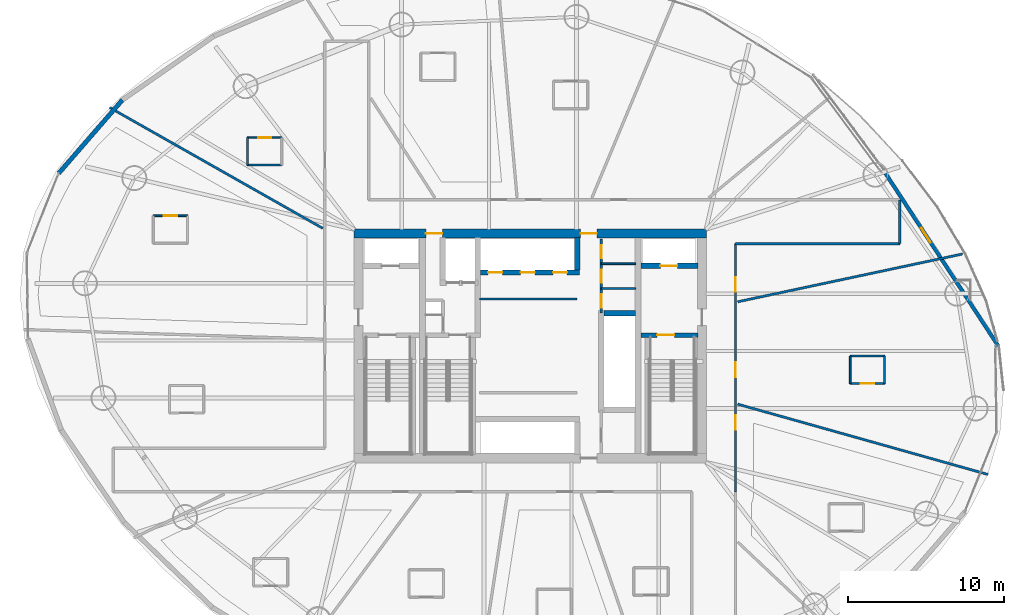
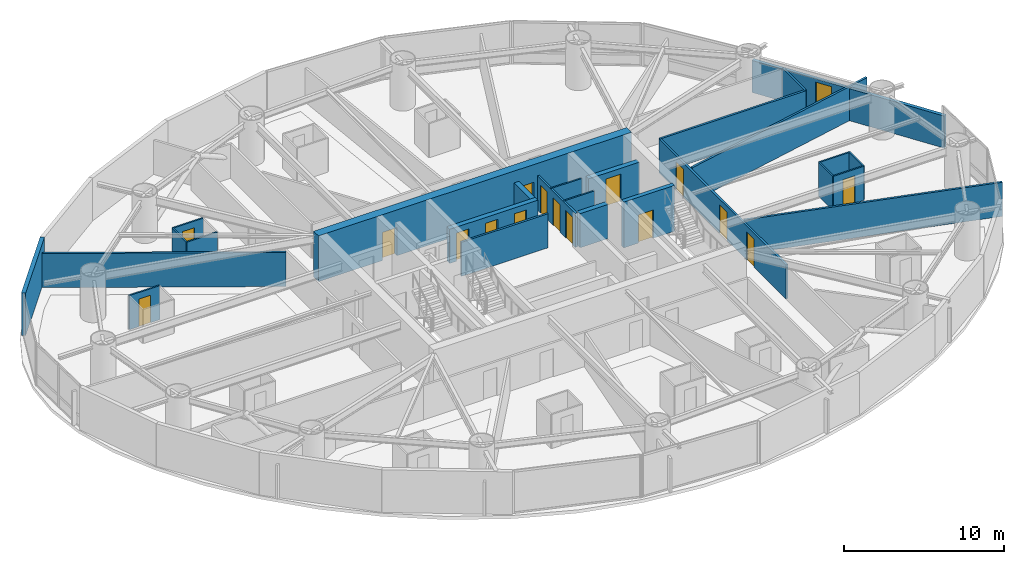
# One storey, part 21 of 26: 26 walls, 17 doors, 17 openings.
"""IFC4 building model written with IfcOpenShell, lengths in metres."""

from ifc_helpers import new_model, si_unit, direction, frame, frame_2d, origin, place, context, subcontext, project, spatial, rectangle, extrude, material, layer, layer_set, type_object, element, fill, save


model = new_model("IFC4")

# Units and contexts
model_context = context("Model", 3, precision=1e-05, world=origin(), true_north=direction((0.0, 1.0)))
body_context = subcontext(model_context, "Body", "Model", "MODEL_VIEW")
ifc_project = project(units=[si_unit("LENGTHUNIT", "METRE"), si_unit("AREAUNIT", "SQUARE_METRE"), si_unit("VOLUMEUNIT", "CUBIC_METRE"), si_unit("PLANEANGLEUNIT", "RADIAN"), si_unit("MASSUNIT", "GRAM", prefix="KILO")], contexts=[model_context])

# Site, building, storey
site_placement = place(None, origin())
site = spatial("IfcSite", under=ifc_project, at=site_placement, CompositionType="ELEMENT")
building_placement = place(site_placement, origin())
building = spatial("IfcBuilding", under=site, at=building_placement, Name="Bramvorn Convention Spire", CompositionType="ELEMENT")
storey_placement = place(building_placement, frame((0.0, 0.0, 76.39990234375)))
storey = spatial("IfcBuildingStorey", under=building, at=storey_placement, Name="L17", CompositionType="ELEMENT", Elevation=76.39990234375)

# Wall, openings, doors
ifc_material_1 = material(Name="Concrete C60/70", Category="concrete")
ifc_layer_1 = layer(ifc_material_1, 0.60009765625)
ifc_layer_set_1 = layer_set([ifc_layer_1], Name="Concrete C60/70 - WL-CORE-600")
wall_type_1 = type_object("IfcWallType", Name="WL-CORE-600", PredefinedType="SHEAR", material=ifc_layer_set_1)
wall_1_placement = place(storey_placement, frame((26.699951171875, 33.199951171875, 0.0), z_axis=(0.0, 0.0, 1.0), x_axis=(1.0, 0.0, 0.0)))
wall_1 = element("IfcWall", 1, at=wall_1_placement, inside=storey, type_object=wall_type_1, Name="L17 North RC core shear wall", PredefinedType="SHEAR", context=body_context, shape_type="SweptSolid", body=[
    extrude(rectangle(XDim=22.60009765625, YDim=0.60009765625, at=frame_2d((11.300048828125, 0.0))), origin(), (0.0, 0.0, 1.0), 3.5),
])
opening_1_placement = place(wall_1_placement, frame((4.6201171875, 0.0, 0.0)))
opening_1 = element("IfcOpeningElement", 2, at=opening_1_placement, cuts=wall_1, Name="Opening DL-105", PredefinedType="OPENING", context=body_context, shape_type="SweptSolid", body=[
    extrude(rectangle(XDim=1.050048828125, YDim=2.14990234375, at=frame_2d((0.52490234375, 1.074951171875))), frame((0.0, 0.31005859375, 0.0), z_axis=(0.0, -1.0, 0.0), x_axis=(1.0, 0.0, 0.0)), (0.0, 0.0, 1.0), 0.6201171875),
])
opening_2_placement = place(wall_1_placement, frame((14.52001953125, 0.0, 0.0)))
opening_2 = element("IfcOpeningElement", 3, at=opening_2_placement, cuts=wall_1, Name="Opening DL-105", PredefinedType="OPENING", context=body_context, shape_type="SweptSolid", body=[
    extrude(rectangle(XDim=1.050048828125, YDim=2.14990234375, at=frame_2d((0.52490234375, 1.074951171875))), frame((0.0, 0.31005859375, 0.0), z_axis=(0.0, -1.0, 0.0), x_axis=(1.0, 0.0, 0.0)), (0.0, 0.0, 1.0), 0.6201171875),
])
ifc_material_2 = material(Name="Smoke-Sealed Fire Lobby Timber-Core Door", Category="wood")
door_type_1 = type_object("IfcDoorType", Name="DR-LOBBY-1050", OperationType="NOTDEFINED", PredefinedType="DOOR", material=ifc_material_2)
door_1_placement = place(opening_1_placement, origin())
door_1 = element("IfcDoor", 4, at=door_1_placement, inside=storey, type_object=door_type_1, Name="L17 Service & Stair ST3 Lobby north corridor door", OperationType="SINGLE_SWING_LEFT", OverallHeight=2.14990234375, OverallWidth=1.050048828125, PredefinedType="DOOR", context=body_context, shape_type="SweptSolid", body=[
    extrude(rectangle(XDim=1.050048828125, YDim=2.14990234375, at=frame_2d((0.52490234375, 1.074951171875))), frame((0.0, 0.02490234375, 0.0), z_axis=(0.0, -1.0, 0.0), x_axis=(1.0, 0.0, 0.0)), (0.0, 0.0, 1.0), 0.050048828125),
])
fill(opening_1, door_1)
door_2_placement = place(opening_2_placement, origin())
door_2 = element("IfcDoor", 5, at=door_2_placement, inside=storey, type_object=door_type_1, Name="L17 North Lift Lobby fire door", OperationType="SINGLE_SWING_LEFT", OverallHeight=2.14990234375, OverallWidth=1.050048828125, PredefinedType="DOOR", context=body_context, shape_type="SweptSolid", body=[
    extrude(rectangle(XDim=1.050048828125, YDim=2.14990234375, at=frame_2d((0.52490234375, 1.074951171875))), frame((0.0, 0.02490234375, 0.0), z_axis=(0.0, -1.0, 0.0), x_axis=(1.0, 0.0, 0.0)), (0.0, 0.0, 1.0), 0.050048828125),
])
fill(opening_2, door_2)

# Wall, opening, door
ifc_material_3 = material(Name="Concrete C50/60", Category="concrete")
ifc_layer_2 = layer(ifc_material_3, 0.35009765625)
ifc_layer_set_2 = layer_set([ifc_layer_2], Name="Concrete C50/60 - WL-CORE-INT-350")
wall_type_2 = type_object("IfcWallType", Name="WL-CORE-INT-350", PredefinedType="SHEAR", material=ifc_layer_set_2)
wall_2_placement = place(storey_placement, frame((45.080078125, 31.1201171875, 0.0), z_axis=(0.0, 0.0, 1.0), x_axis=(1.0, 0.0, 0.0)))
wall_2 = element("IfcWall", 6, at=wall_2_placement, inside=storey, type_object=wall_type_2, Name="L17 FE2 shaft front wall", PredefinedType="SHEAR", context=body_context, shape_type="SweptSolid", body=[
    extrude(rectangle(XDim=3.669921875, YDim=0.35009765625, at=frame_2d((1.8349609375, 0.0))), origin(), (0.0, 0.0, 1.0), 2.60009765625),
])
opening_3_placement = place(wall_2_placement, frame((1.25, 0.0, 0.0)))
opening_3 = element("IfcOpeningElement", 7, at=opening_3_placement, cuts=wall_2, Name="Opening LD-110", PredefinedType="OPENING", context=body_context, shape_type="SweptSolid", body=[
    extrude(rectangle(XDim=1.10009765625, YDim=2.14990234375, at=frame_2d((0.550048828125, 1.074951171875))), frame((0.0, 0.18505859375, 0.0), z_axis=(0.0, -1.0, 0.0), x_axis=(1.0, 0.0, 0.0)), (0.0, 0.0, 1.0), 0.3701171875),
])
ifc_material_4 = material(Name="Firefighting & Service Lift Sliding Landing Door", Category="steel")
door_type_2 = type_object("IfcDoorType", Name="DR-LIFT-LD-1100", OperationType="NOTDEFINED", PredefinedType="DOOR", material=ifc_material_4)
door_3_placement = place(opening_3_placement, origin())
door_3 = element("IfcDoor", 8, at=door_3_placement, inside=storey, type_object=door_type_2, Name="L17 Lift FE2 Sliding Landing Door", OperationType="SLIDING_TO_LEFT", OverallHeight=2.14990234375, OverallWidth=1.10009765625, PredefinedType="DOOR", context=body_context, shape_type="SweptSolid", body=[
    extrude(rectangle(XDim=1.10009765625, YDim=2.14990234375, at=frame_2d((0.550048828125, 1.074951171875))), frame((0.0, 0.02490234375, 0.0), z_axis=(0.0, -1.0, 0.0), x_axis=(1.0, 0.0, 0.0)), (0.0, 0.0, 1.0), 0.050048828125),
])
fill(opening_3, door_3)

# Wall
wall_3_placement = place(storey_placement, frame((42.719970703125, 28.10009765625, 0.0), z_axis=(0.0, 0.0, 1.0), x_axis=(1.0, 0.0, 0.0)))
element("IfcWall", 9, at=wall_3_placement, inside=storey, type_object=wall_type_2, Name="L17 High-rise lift bank north wall", PredefinedType="SHEAR", context=body_context, shape_type="SweptSolid", body=[
    extrude(rectangle(XDim=2.030029296875, YDim=0.35009765625, at=frame_2d((1.01513671875, 0.0))), origin(), (0.0, 0.0, 1.0), 2.60009765625),
])

# Wall, openings, doors
wall_4_placement = place(storey_placement, frame((34.81005859375, 30.699951171875, 0.0), z_axis=(0.0, 0.0, 1.0), x_axis=(1.0, 0.0, 0.0)))
wall_4 = element("IfcWall", 10, at=wall_4_placement, inside=storey, type_object=wall_type_2, Name="L17 Low-rise bank south landing wall", PredefinedType="SHEAR", context=body_context, shape_type="SweptSolid", body=[
    extrude(rectangle(XDim=6.35986328125, YDim=0.35009765625, at=frame_2d((3.179931640625, 0.0))), origin(), (0.0, 0.0, 1.0), 2.60009765625),
])
opening_4_placement = place(wall_4_placement, frame((0.5, 0.0, 0.0)))
opening_4 = element("IfcOpeningElement", 11, at=opening_4_placement, cuts=wall_4, Name="Opening LD-090", PredefinedType="OPENING", context=body_context, shape_type="SweptSolid", body=[
    extrude(rectangle(XDim=0.89990234375, YDim=2.14990234375, at=frame_2d((0.449951171875, 1.074951171875))), frame((0.0, 0.18505859375, 0.0), z_axis=(0.0, -1.0, 0.0), x_axis=(1.0, 0.0, 0.0)), (0.0, 0.0, 1.0), 0.3701171875),
])
opening_5_placement = place(wall_4_placement, frame((2.580078125, 0.0, 0.0)))
opening_5 = element("IfcOpeningElement", 12, at=opening_5_placement, cuts=wall_4, Name="Opening LD-090", PredefinedType="OPENING", context=body_context, shape_type="SweptSolid", body=[
    extrude(rectangle(XDim=0.89990234375, YDim=2.14990234375, at=frame_2d((0.449951171875, 1.074951171875))), frame((0.0, 0.18505859375, 0.0), z_axis=(0.0, -1.0, 0.0), x_axis=(1.0, 0.0, 0.0)), (0.0, 0.0, 1.0), 0.3701171875),
])
opening_6_placement = place(wall_4_placement, frame((4.659912109375, 0.0, 0.0)))
opening_6 = element("IfcOpeningElement", 13, at=opening_6_placement, cuts=wall_4, Name="Opening LD-090", PredefinedType="OPENING", context=body_context, shape_type="SweptSolid", body=[
    extrude(rectangle(XDim=0.89990234375, YDim=2.14990234375, at=frame_2d((0.449951171875, 1.074951171875))), frame((0.0, 0.18505859375, 0.0), z_axis=(0.0, -1.0, 0.0), x_axis=(1.0, 0.0, 0.0)), (0.0, 0.0, 1.0), 0.3701171875),
])
ifc_material_5 = material(Name="Bi-Parting Fire-Rated Lift Landing Door", Category="steel")
door_type_3 = type_object("IfcDoorType", Name="DR-LIFT-LD-900", OperationType="NOTDEFINED", PredefinedType="DOOR", material=ifc_material_5)
door_4_placement = place(opening_4_placement, origin())
door_4 = element("IfcDoor", 14, at=door_4_placement, inside=storey, type_object=door_type_3, Name="L17 Lift PL1 Sliding Landing Door", OperationType="SLIDING_TO_LEFT", OverallHeight=2.14990234375, OverallWidth=0.89990234375, PredefinedType="DOOR", context=body_context, shape_type="SweptSolid", body=[
    extrude(rectangle(XDim=0.89990234375, YDim=2.14990234375, at=frame_2d((0.449951171875, 1.074951171875))), frame((0.0, 0.02490234375, 0.0), z_axis=(0.0, -1.0, 0.0), x_axis=(1.0, 0.0, 0.0)), (0.0, 0.0, 1.0), 0.050048828125),
])
fill(opening_4, door_4)
door_5_placement = place(opening_5_placement, origin())
door_5 = element("IfcDoor", 15, at=door_5_placement, inside=storey, type_object=door_type_3, Name="L17 Lift PL2 Sliding Landing Door", OperationType="SLIDING_TO_LEFT", OverallHeight=2.14990234375, OverallWidth=0.89990234375, PredefinedType="DOOR", context=body_context, shape_type="SweptSolid", body=[
    extrude(rectangle(XDim=0.89990234375, YDim=2.14990234375, at=frame_2d((0.449951171875, 1.074951171875))), frame((0.0, 0.02490234375, 0.0), z_axis=(0.0, -1.0, 0.0), x_axis=(1.0, 0.0, 0.0)), (0.0, 0.0, 1.0), 0.050048828125),
])
fill(opening_5, door_5)
door_6_placement = place(opening_6_placement, origin())
door_6 = element("IfcDoor", 16, at=door_6_placement, inside=storey, type_object=door_type_3, Name="L17 Lift PL3 Sliding Landing Door", OperationType="SLIDING_TO_LEFT", OverallHeight=2.14990234375, OverallWidth=0.89990234375, PredefinedType="DOOR", context=body_context, shape_type="SweptSolid", body=[
    extrude(rectangle(XDim=0.89990234375, YDim=2.14990234375, at=frame_2d((0.449951171875, 1.074951171875))), frame((0.0, 0.02490234375, 0.0), z_axis=(0.0, -1.0, 0.0), x_axis=(1.0, 0.0, 0.0)), (0.0, 0.0, 1.0), 0.050048828125),
])
fill(opening_6, door_6)

# Walls
wall_5_placement = place(storey_placement, frame((41.0, 30.8701171875, 0.0), z_axis=(0.0, 0.0, 1.0), x_axis=(0.0, 1.0, 0.0)))
element("IfcWall", 17, at=wall_5_placement, inside=storey, type_object=wall_type_2, Name="L17 Low-rise bank east cheek wall", PredefinedType="SHEAR", context=body_context, shape_type="SweptSolid", body=[
    extrude(rectangle(XDim=2.079833984375, YDim=0.35009765625, at=frame_2d((1.0400390625, 0.0))), origin(), (0.0, 0.0, 1.0), 2.60009765625),
])
ifc_material_6 = material(Name="Precast Concrete C40/50 with Bronze Terracotta Rainscreen", Category="masonry")
ifc_layer_3 = layer(ifc_material_6, 0.300048828125)
ifc_layer_set_3 = layer_set([ifc_layer_3], Name="Precast Concrete C40/50 with Bronze Terracotta Rainscreen - WL-EXT-BRONZE-300")
wall_type_3 = type_object("IfcWallType", Name="WL-EXT-BRONZE-300", PredefinedType="SOLIDWALL", material=ifc_layer_set_3)
wall_6_placement = place(storey_placement, frame((7.7998046875, 37.052001953125, 0.0), z_axis=(0.0, 0.0, 1.0), x_axis=(0.65566189208, 0.755054622709, 0.0)))
element("IfcWall", 18, at=wall_6_placement, inside=storey, type_object=wall_type_3, Name="L17 expressed bronze Gothic lancet pier wall 11", PredefinedType="SOLIDWALL", context=body_context, shape_type="SweptSolid", body=[
    extrude(rectangle(XDim=6.212158203125, YDim=0.280029296875, at=frame_2d((3.10595703125, 0.0))), origin(), (0.0, 0.0, 1.0), 3.25),
])

# Wall, opening, door
ifc_material_7 = material(Name="Precast Concrete C40/50 Insulated Terrace Wall", Category="concrete")
ifc_layer_4 = layer(ifc_material_7, 0.280029296875)
ifc_layer_set_4 = layer_set([ifc_layer_4], Name="Precast Concrete C40/50 Insulated Terrace Wall - WL-EXT-TERR-280")
wall_type_4 = type_object("IfcWallType", Name="WL-EXT-TERR-280", PredefinedType="SOLIDWALL", material=ifc_layer_set_4)
wall_7_placement = place(storey_placement, frame((60.602783203125, 37.276123046875, 0.0), z_axis=(0.0, 0.0, 1.0), x_axis=(0.547121449086, -0.837053236031, 0.0)))
wall_7 = element("IfcWall", 19, at=wall_7_placement, inside=storey, type_object=wall_type_4, Name="L17 Sky Garden recessed terrace wall", PredefinedType="SOLIDWALL", context=body_context, shape_type="SweptSolid", body=[
    extrude(rectangle(XDim=13.473876953125, YDim=0.239990234375, at=frame_2d((6.73681640625, 0.0))), origin(), (0.0, 0.0, 1.0), 2.4501953125),
])
opening_7_placement = place(wall_7_placement, frame((4.45458984375, 0.0, 0.0)))
opening_7 = element("IfcOpeningElement", 20, at=opening_7_placement, cuts=wall_7, Name="Opening DE05", PredefinedType="OPENING", context=body_context, shape_type="SweptSolid", body=[
    extrude(rectangle(XDim=1.10009765625, YDim=2.199951171875, at=frame_2d((0.550048828125, 1.10009765625))), frame((0.0, 0.1298828125, 0.0), z_axis=(0.0, -1.0, 0.0), x_axis=(1.0, 0.0, 0.0)), (0.0, 0.0, 1.0), 0.260009765625),
])
ifc_material_8 = material(Name="Anodised Bronze Aluminium & Laminated Safety Glass", Category="aluminium")
door_type_4 = type_object("IfcDoorType", Name="DR-EXT-1100X2200", OperationType="NOTDEFINED", PredefinedType="DOOR", material=ifc_material_8)
door_7_placement = place(opening_7_placement, origin())
door_7 = element("IfcDoor", 21, at=door_7_placement, inside=storey, type_object=door_type_4, Name="L17 Sky Garden Lounge exterior terrace door", OperationType="SINGLE_SWING_LEFT", OverallHeight=2.199951171875, OverallWidth=1.10009765625, PredefinedType="DOOR", context=body_context, shape_type="SweptSolid", body=[
    extrude(rectangle(XDim=1.10009765625, YDim=2.199951171875, at=frame_2d((0.550048828125, 1.10009765625))), frame((0.0, 0.02490234375, 0.0), z_axis=(0.0, -1.0, 0.0), x_axis=(1.0, 0.0, 0.0)), (0.0, 0.0, 1.0), 0.050048828125),
])
fill(opening_7, door_7)

# Walls
ifc_material_9 = material(Name="Lightweight En-Suite & Wet-Wall Partition", Category="gypsum")
ifc_layer_5 = layer(ifc_material_9, 0.110107421875)
ifc_layer_set_5 = layer_set([ifc_layer_5], Name="Lightweight En-Suite & Wet-Wall Partition - WL-PART-110")
wall_type_5 = type_object("IfcWallType", Name="WL-PART-110", PredefinedType="PARTITIONING", material=ifc_layer_set_5)
for number, where, z_axis, x_axis, name in (
    (22, (42.550048828125, 29.679931640625, 0.0), (0.0, 0.0, 1.0), (1.0, 0.0, 0.0), "L17 KC NE div 1"),
    (23, (42.550048828125, 31.260009765625, 0.0), (0.0, 0.0, 1.0), (1.0, 0.0, 0.0), "L17 KC NE div 2"),
    (24, (19.888916015625, 37.57861328125, 0.0), (0.0, 0.0, 1.0), (1.0, 0.0, 0.0), "Hotel Suite 1705 en-suite south wall"),
):
    element("IfcWall", number, at=place(storey_placement, frame(where, z_axis=z_axis, x_axis=x_axis)), inside=storey, type_object=wall_type_5, Name=name, PredefinedType="PARTITIONING", context=body_context, shape_type="SweptSolid", body=[
        extrude(rectangle(XDim=2.199951171875, YDim=0.110107421875, at=frame_2d((1.10009765625, 0.0))), origin(), (0.0, 0.0, 1.0), 2.60009765625),
    ])

# Wall, opening, door
wall_8_placement = place(storey_placement, frame((19.888916015625, 39.338623046875, 0.0), z_axis=(0.0, 0.0, 1.0), x_axis=(1.0, 0.0, 0.0)))
wall_8 = element("IfcWall", 25, at=wall_8_placement, inside=storey, type_object=wall_type_5, Name="Hotel Suite 1705 en-suite north wall", PredefinedType="PARTITIONING", context=body_context, shape_type="SweptSolid", body=[
    extrude(rectangle(XDim=2.199951171875, YDim=0.110107421875, at=frame_2d((1.10009765625, 0.0))), origin(), (0.0, 0.0, 1.0), 2.60009765625),
])
opening_8_placement = place(wall_8_placement, frame((0.679931640625, 0.0, 0.0)))
opening_8 = element("IfcOpeningElement", 26, at=opening_8_placement, cuts=wall_8, Name="Opening DI-085", PredefinedType="OPENING", context=body_context, shape_type="SweptSolid", body=[
    extrude(rectangle(XDim=0.85009765625, YDim=2.10009765625, at=frame_2d((0.425048828125, 1.050048828125))), frame((0.0, 0.06494140625, 0.0), z_axis=(0.0, -1.0, 0.0), x_axis=(1.0, 0.0, 0.0)), (0.0, 0.0, 1.0), 0.130126953125),
])
ifc_material_10 = material(Name="En-Suite & Restroom Privacy Door", Category="wood")
door_type_5 = type_object("IfcDoorType", Name="DR-INT-850", OperationType="NOTDEFINED", PredefinedType="DOOR", material=ifc_material_10)
door_8_placement = place(opening_8_placement, origin())
door_8 = element("IfcDoor", 27, at=door_8_placement, inside=storey, type_object=door_type_5, Name="Hotel Suite 1705 En-Suite Bathroom door", OperationType="SINGLE_SWING_LEFT", OverallHeight=2.10009765625, OverallWidth=0.85009765625, PredefinedType="DOOR", context=body_context, shape_type="SweptSolid", body=[
    extrude(rectangle(XDim=0.85009765625, YDim=2.10009765625, at=frame_2d((0.425048828125, 1.050048828125))), frame((0.0, 0.02490234375, 0.0), z_axis=(0.0, -1.0, 0.0), x_axis=(1.0, 0.0, 0.0)), (0.0, 0.0, 1.0), 0.050048828125),
])
fill(opening_8, door_8)

# Wall
wall_9_placement = place(storey_placement, frame((19.888916015625, 37.57861328125, 0.0), z_axis=(0.0, 0.0, 1.0), x_axis=(0.0, 1.0, 0.0)))
element("IfcWall", 28, at=wall_9_placement, inside=storey, type_object=wall_type_5, Name="Hotel Suite 1705 en-suite west wall", PredefinedType="PARTITIONING", context=body_context, shape_type="SweptSolid", body=[
    extrude(rectangle(XDim=1.760009765625, YDim=0.110107421875, at=frame_2d((0.8798828125, 0.0))), origin(), (0.0, 0.0, 1.0), 2.60009765625),
])

# Wall, opening, door
wall_10_placement = place(storey_placement, frame((13.850830078125, 34.335693359375, 0.0), z_axis=(0.0, 0.0, 1.0), x_axis=(1.0, 0.0, 0.0)))
wall_10 = element("IfcWall", 29, at=wall_10_placement, inside=storey, type_object=wall_type_5, Name="Hotel Suite 1706 en-suite north wall", PredefinedType="PARTITIONING", context=body_context, shape_type="SweptSolid", body=[
    extrude(rectangle(XDim=2.199951171875, YDim=0.110107421875, at=frame_2d((1.10009765625, 0.0))), origin(), (0.0, 0.0, 1.0), 2.60009765625),
])
opening_9_placement = place(wall_10_placement, frame((0.679931640625, 0.0, 0.0)))
opening_9 = element("IfcOpeningElement", 30, at=opening_9_placement, cuts=wall_10, Name="Opening DI-085", PredefinedType="OPENING", context=body_context, shape_type="SweptSolid", body=[
    extrude(rectangle(XDim=0.85009765625, YDim=2.10009765625, at=frame_2d((0.425048828125, 1.050048828125))), frame((0.0, 0.06494140625, 0.0), z_axis=(0.0, -1.0, 0.0), x_axis=(1.0, 0.0, 0.0)), (0.0, 0.0, 1.0), 0.130126953125),
])
door_9_placement = place(opening_9_placement, origin())
door_9 = element("IfcDoor", 31, at=door_9_placement, inside=storey, type_object=door_type_5, Name="Hotel Suite 1706 En-Suite Bathroom door", OperationType="SINGLE_SWING_LEFT", OverallHeight=2.10009765625, OverallWidth=0.85009765625, PredefinedType="DOOR", context=body_context, shape_type="SweptSolid", body=[
    extrude(rectangle(XDim=0.85009765625, YDim=2.10009765625, at=frame_2d((0.425048828125, 1.050048828125))), frame((0.0, 0.02490234375, 0.0), z_axis=(0.0, -1.0, 0.0), x_axis=(1.0, 0.0, 0.0)), (0.0, 0.0, 1.0), 0.050048828125),
])
fill(opening_9, door_9)

wall_11_placement = place(storey_placement, frame((58.491943359375, 23.58740234375, 0.0), z_axis=(0.0, 0.0, 1.0), x_axis=(1.0, 0.0, 0.0)))
wall_11 = element("IfcWall", 32, at=wall_11_placement, inside=storey, type_object=wall_type_5, Name="Hotel Suite 1713 en-suite south wall", PredefinedType="PARTITIONING", context=body_context, shape_type="SweptSolid", body=[
    extrude(rectangle(XDim=2.199951171875, YDim=0.110107421875, at=frame_2d((1.10009765625, 0.0))), origin(), (0.0, 0.0, 1.0), 2.60009765625),
])
opening_10_placement = place(wall_11_placement, frame((0.679931640625, 0.0, 0.0)))
opening_10 = element("IfcOpeningElement", 33, at=opening_10_placement, cuts=wall_11, Name="Opening DI-085", PredefinedType="OPENING", context=body_context, shape_type="SweptSolid", body=[
    extrude(rectangle(XDim=0.85009765625, YDim=2.10009765625, at=frame_2d((0.425048828125, 1.050048828125))), frame((0.0, 0.06494140625, 0.0), z_axis=(0.0, -1.0, 0.0), x_axis=(1.0, 0.0, 0.0)), (0.0, 0.0, 1.0), 0.130126953125),
])
door_10_placement = place(opening_10_placement, origin())
door_10 = element("IfcDoor", 34, at=door_10_placement, inside=storey, type_object=door_type_5, Name="Hotel Suite 1713 En-Suite Bathroom door", OperationType="SINGLE_SWING_LEFT", OverallHeight=2.10009765625, OverallWidth=0.85009765625, PredefinedType="DOOR", context=body_context, shape_type="SweptSolid", body=[
    extrude(rectangle(XDim=0.85009765625, YDim=2.10009765625, at=frame_2d((0.425048828125, 1.050048828125))), frame((0.0, 0.02490234375, 0.0), z_axis=(0.0, -1.0, 0.0), x_axis=(1.0, 0.0, 0.0)), (0.0, 0.0, 1.0), 0.050048828125),
])
fill(opening_10, door_10)

# Walls
wall_12_placement = place(storey_placement, frame((58.491943359375, 25.347412109375, 0.0), z_axis=(0.0, 0.0, 1.0), x_axis=(1.0, 0.0, 0.0)))
element("IfcWall", 35, at=wall_12_placement, inside=storey, type_object=wall_type_5, Name="Hotel Suite 1713 en-suite north wall", PredefinedType="PARTITIONING", context=body_context, shape_type="SweptSolid", body=[
    extrude(rectangle(XDim=2.199951171875, YDim=0.110107421875, at=frame_2d((1.10009765625, 0.0))), origin(), (0.0, 0.0, 1.0), 2.60009765625),
])
for number, where, z_axis, x_axis, name in (
    (36, (58.491943359375, 23.58740234375, 0.0), (0.0, 0.0, 1.0), (0.0, 1.0, 0.0), "Hotel Suite 1713 en-suite west wall"),
    (37, (60.69189453125, 23.58740234375, 0.0), (0.0, 0.0, 1.0), (0.0, 1.0, 0.0), "Hotel Suite 1713 en-suite east wall"),
):
    element("IfcWall", number, at=place(storey_placement, frame(where, z_axis=z_axis, x_axis=x_axis)), inside=storey, type_object=wall_type_5, Name=name, PredefinedType="PARTITIONING", context=body_context, shape_type="SweptSolid", body=[
        extrude(rectangle(XDim=1.760009765625, YDim=0.110107421875, at=frame_2d((0.8798828125, 0.0))), origin(), (0.0, 0.0, 1.0), 2.60009765625),
    ])
ifc_material_11 = material(Name="Acoustic Metal-Stud Tenant/Corridor Partition", Category="gypsum")
ifc_layer_6 = layer(ifc_material_11, 0.14990234375)
ifc_layer_set_6 = layer_set([ifc_layer_6], Name="Acoustic Metal-Stud Tenant/Corridor Partition - WL-PART-150")
wall_type_6 = type_object("IfcWallType", Name="WL-PART-150", PredefinedType="PARTITIONING", material=ifc_layer_set_6)
wall_13_placement = place(storey_placement, frame((34.75, 29.0, 0.0), z_axis=(0.0, 0.0, 1.0), x_axis=(1.0, 0.0, 0.0)))
element("IfcWall", 38, at=wall_13_placement, inside=storey, type_object=wall_type_6, Name="L17 Low-rise lift vestibule south wall", PredefinedType="PARTITIONING", context=body_context, shape_type="SweptSolid", body=[
    extrude(rectangle(XDim=6.25, YDim=0.14990234375, at=frame_2d((3.125, 0.0))), origin(), (0.0, 0.0, 1.0), 2.60009765625),
])

# Wall, openings, doors
wall_14_placement = place(storey_placement, frame((42.550048828125, 28.10009765625, 0.0), z_axis=(0.0, 0.0, 1.0), x_axis=(0.0, 1.0, 0.0)))
wall_14 = element("IfcWall", 39, at=wall_14_placement, inside=storey, type_object=wall_type_6, Name="L17 KC NE wall", PredefinedType="PARTITIONING", context=body_context, shape_type="SweptSolid", body=[
    extrude(rectangle(XDim=4.75, YDim=0.14990234375, at=frame_2d((2.375, 0.0))), origin(), (0.0, 0.0, 1.0), 2.60009765625),
])
opening_11_placement = place(wall_14_placement, frame((0.35009765625, 0.0, 0.0)))
opening_11 = element("IfcOpeningElement", 40, at=opening_11_placement, cuts=wall_14, Name="Opening DC-085", PredefinedType="OPENING", context=body_context, shape_type="SweptSolid", body=[
    extrude(rectangle(XDim=0.85009765625, YDim=2.10009765625, at=frame_2d((0.425048828125, 1.050048828125))), frame((0.0, 0.0849609375, 0.0), z_axis=(0.0, -1.0, 0.0), x_axis=(1.0, 0.0, 0.0)), (0.0, 0.0, 1.0), 0.169921875),
])
opening_12_placement = place(wall_14_placement, frame((1.929931640625, 0.0, 0.0)))
opening_12 = element("IfcOpeningElement", 41, at=opening_12_placement, cuts=wall_14, Name="Opening DC-085", PredefinedType="OPENING", context=body_context, shape_type="SweptSolid", body=[
    extrude(rectangle(XDim=0.85009765625, YDim=2.10009765625, at=frame_2d((0.425048828125, 1.050048828125))), frame((0.0, 0.0849609375, 0.0), z_axis=(0.0, -1.0, 0.0), x_axis=(1.0, 0.0, 0.0)), (0.0, 0.0, 1.0), 0.169921875),
])
opening_13_placement = place(wall_14_placement, frame((3.510009765625, 0.0, 0.0)))
opening_13 = element("IfcOpeningElement", 42, at=opening_13_placement, cuts=wall_14, Name="Opening DC-085", PredefinedType="OPENING", context=body_context, shape_type="SweptSolid", body=[
    extrude(rectangle(XDim=0.85009765625, YDim=2.10009765625, at=frame_2d((0.425048828125, 1.050048828125))), frame((0.0, 0.0849609375, 0.0), z_axis=(0.0, -1.0, 0.0), x_axis=(1.0, 0.0, 0.0)), (0.0, 0.0, 1.0), 0.169921875),
])
ifc_material_12 = material(Name="Fire-Rated Core Washroom & IDF Door", Category="wood")
door_type_6 = type_object("IfcDoorType", Name="DR-CORE-850", OperationType="NOTDEFINED", PredefinedType="DOOR", material=ifc_material_12)
door_11_placement = place(opening_11_placement, origin())
door_11 = element("IfcDoor", 43, at=door_11_placement, inside=storey, type_object=door_type_6, Name="L17 Accessible Core Restroom door", OperationType="SINGLE_SWING_LEFT", OverallHeight=2.10009765625, OverallWidth=0.85009765625, PredefinedType="DOOR", context=body_context, shape_type="SweptSolid", body=[
    extrude(rectangle(XDim=0.85009765625, YDim=2.10009765625, at=frame_2d((0.425048828125, 1.050048828125))), frame((0.0, 0.02490234375, 0.0), z_axis=(0.0, -1.0, 0.0), x_axis=(1.0, 0.0, 0.0)), (0.0, 0.0, 1.0), 0.050048828125),
])
fill(opening_11, door_11)
door_12_placement = place(opening_12_placement, origin())
door_12 = element("IfcDoor", 44, at=door_12_placement, inside=storey, type_object=door_type_6, Name="L17 Floor Housekeeping & Linen Store door", OperationType="SINGLE_SWING_LEFT", OverallHeight=2.10009765625, OverallWidth=0.85009765625, PredefinedType="DOOR", context=body_context, shape_type="SweptSolid", body=[
    extrude(rectangle(XDim=0.85009765625, YDim=2.10009765625, at=frame_2d((0.425048828125, 1.050048828125))), frame((0.0, 0.02490234375, 0.0), z_axis=(0.0, -1.0, 0.0), x_axis=(1.0, 0.0, 0.0)), (0.0, 0.0, 1.0), 0.050048828125),
])
fill(opening_12, door_12)
door_13_placement = place(opening_13_placement, origin())
door_13 = element("IfcDoor", 45, at=door_13_placement, inside=storey, type_object=door_type_6, Name="L17 Core Comms Closet door", OperationType="SINGLE_SWING_LEFT", OverallHeight=2.10009765625, OverallWidth=0.85009765625, PredefinedType="DOOR", context=body_context, shape_type="SweptSolid", body=[
    extrude(rectangle(XDim=0.85009765625, YDim=2.10009765625, at=frame_2d((0.425048828125, 1.050048828125))), frame((0.0, 0.02490234375, 0.0), z_axis=(0.0, -1.0, 0.0), x_axis=(1.0, 0.0, 0.0)), (0.0, 0.0, 1.0), 0.050048828125),
])
fill(opening_13, door_13)

wall_15_placement = place(storey_placement, frame((51.14990234375, 16.64990234375, 0.0), z_axis=(0.0, 0.0, 1.0), x_axis=(0.0, 1.0, 0.0)))
wall_15 = element("IfcWall", 46, at=wall_15_placement, inside=storey, type_object=wall_type_6, Name="L17 East ring corridor wall", PredefinedType="PARTITIONING", context=body_context, shape_type="SweptSolid", body=[
    extrude(rectangle(XDim=15.900146484375, YDim=0.14990234375, at=frame_2d((7.9501953125, 0.0))), origin(), (0.0, 0.0, 1.0), 2.60009765625),
])
opening_14_placement = place(wall_15_placement, frame((12.80810546875, 0.0, 0.0)))
opening_14 = element("IfcOpeningElement", 47, at=opening_14_placement, cuts=wall_15, Name="Opening DH-095", PredefinedType="OPENING", context=body_context, shape_type="SweptSolid", body=[
    extrude(rectangle(XDim=0.949951171875, YDim=2.14990234375, at=frame_2d((0.47509765625, 1.074951171875))), frame((0.0, 0.0849609375, 0.0), z_axis=(0.0, -1.0, 0.0), x_axis=(1.0, 0.0, 0.0)), (0.0, 0.0, 1.0), 0.169921875),
])
opening_15_placement = place(wall_15_placement, frame((3.963623046875, 0.0, 0.0)))
opening_15 = element("IfcOpeningElement", 48, at=opening_15_placement, cuts=wall_15, Name="Opening DH-095", PredefinedType="OPENING", context=body_context, shape_type="SweptSolid", body=[
    extrude(rectangle(XDim=0.949951171875, YDim=2.14990234375, at=frame_2d((0.47509765625, 1.074951171875))), frame((0.0, 0.0849609375, 0.0), z_axis=(0.0, -1.0, 0.0), x_axis=(1.0, 0.0, 0.0)), (0.0, 0.0, 1.0), 0.169921875),
])
opening_16_placement = place(wall_15_placement, frame((7.35009765625, 0.0, 0.0)))
opening_16 = element("IfcOpeningElement", 49, at=opening_16_placement, cuts=wall_15, Name="Opening DH-095", PredefinedType="OPENING", context=body_context, shape_type="SweptSolid", body=[
    extrude(rectangle(XDim=0.949951171875, YDim=2.14990234375, at=frame_2d((0.47509765625, 1.074951171875))), frame((0.0, 0.0849609375, 0.0), z_axis=(0.0, -1.0, 0.0), x_axis=(1.0, 0.0, 0.0)), (0.0, 0.0, 1.0), 0.169921875),
])
ifc_material_13 = material(Name="Solid-Core Acoustic Guestroom Entry Door", Category="wood")
door_type_7 = type_object("IfcDoorType", Name="DR-HOTEL-950", OperationType="NOTDEFINED", PredefinedType="DOOR", material=ifc_material_13)
door_14_placement = place(opening_14_placement, origin())
door_14 = element("IfcDoor", 50, at=door_14_placement, inside=storey, type_object=door_type_7, Name="L17 Sky Garden Lounge corridor door", OperationType="SINGLE_SWING_LEFT", OverallHeight=2.14990234375, OverallWidth=0.949951171875, PredefinedType="DOOR", context=body_context, shape_type="SweptSolid", body=[
    extrude(rectangle(XDim=0.949951171875, YDim=2.14990234375, at=frame_2d((0.47509765625, 1.074951171875))), frame((0.0, 0.02490234375, 0.0), z_axis=(0.0, -1.0, 0.0), x_axis=(1.0, 0.0, 0.0)), (0.0, 0.0, 1.0), 0.050048828125),
])
fill(opening_14, door_14)
door_15_placement = place(opening_15_placement, origin())
door_15 = element("IfcDoor", 51, at=door_15_placement, inside=storey, type_object=door_type_7, Name="Hotel Suite 1712 entry door", OperationType="SINGLE_SWING_RIGHT", OverallHeight=2.14990234375, OverallWidth=0.949951171875, PredefinedType="DOOR", context=body_context, shape_type="SweptSolid", body=[
    extrude(rectangle(XDim=0.949951171875, YDim=2.14990234375, at=frame_2d((0.47509765625, 1.074951171875))), frame((0.0, 0.02490234375, 0.0), z_axis=(0.0, -1.0, 0.0), x_axis=(1.0, 0.0, 0.0)), (0.0, 0.0, 1.0), 0.050048828125),
])
fill(opening_15, door_15)
door_16_placement = place(opening_16_placement, origin())
door_16 = element("IfcDoor", 52, at=door_16_placement, inside=storey, type_object=door_type_7, Name="Hotel Suite 1713 entry door", OperationType="SINGLE_SWING_RIGHT", OverallHeight=2.14990234375, OverallWidth=0.949951171875, PredefinedType="DOOR", context=body_context, shape_type="SweptSolid", body=[
    extrude(rectangle(XDim=0.949951171875, YDim=2.14990234375, at=frame_2d((0.47509765625, 1.074951171875))), frame((0.0, 0.02490234375, 0.0), z_axis=(0.0, -1.0, 0.0), x_axis=(1.0, 0.0, 0.0)), (0.0, 0.0, 1.0), 0.050048828125),
])
fill(opening_16, door_16)

# Walls
wall_16_placement = place(storey_placement, frame((51.14990234375, 32.550048828125, 0.0), z_axis=(0.0, 0.0, 1.0), x_axis=(1.0, 0.0, 0.0)))
element("IfcWall", 53, at=wall_16_placement, inside=storey, type_object=wall_type_6, Name="L17 NE pinwheel wing south wall", PredefinedType="PARTITIONING", context=body_context, shape_type="SweptSolid", body=[
    extrude(rectangle(XDim=10.5263671875, YDim=0.14990234375, at=frame_2d((5.26318359375, 0.0))), origin(), (0.0, 0.0, 1.0), 2.60009765625),
])
wall_17_placement = place(storey_placement, frame((61.67626953125, 32.550048828125, 0.0), z_axis=(0.0, 0.0, 1.0), x_axis=(0.0, 1.0, 0.0)))
element("IfcWall", 54, at=wall_17_placement, inside=storey, type_object=wall_type_6, Name="L17 NE pinwheel end wall", PredefinedType="PARTITIONING", context=body_context, shape_type="SweptSolid", body=[
    extrude(rectangle(XDim=2.800048828125, YDim=0.14990234375, at=frame_2d((1.39990234375, 0.0))), origin(), (0.0, 0.0, 1.0), 2.60009765625),
])
wall_18_placement = place(storey_placement, frame((51.2900390625, 28.824951171875, 0.0), z_axis=(0.0, 0.0, 1.0), x_axis=(0.978150246992, 0.207899240764, 0.0)))
element("IfcWall", 55, at=wall_18_placement, inside=storey, type_object=wall_type_6, Name="L17 Guestroom demising wall 1", PredefinedType="PARTITIONING", context=body_context, shape_type="SweptSolid", body=[
    extrude(rectangle(XDim=14.713134765625, YDim=0.14990234375, at=frame_2d((7.3564453125, 0.0))), origin(), (0.0, 0.0, 1.0), 2.60009765625),
])
wall_19_placement = place(storey_placement, frame((24.7099609375, 33.531005859375, 0.0), z_axis=(0.0, 0.0, 1.0), x_axis=(-0.870027523458, 0.493003152551, 0.0)))
element("IfcWall", 56, at=wall_19_placement, inside=storey, type_object=wall_type_6, Name="L17 Guestroom demising wall 6", PredefinedType="PARTITIONING", context=body_context, shape_type="SweptSolid", body=[
    extrude(rectangle(XDim=15.6953125, YDim=0.14990234375, at=frame_2d((7.84765625, 0.0))), origin(), (0.0, 0.0, 1.0), 2.60009765625),
])
wall_20_placement = place(storey_placement, frame((51.2900390625, 22.266357421875, 0.0), z_axis=(0.0, 0.0, 1.0), x_axis=(0.962729778271, -0.270465106863, 0.0)))
element("IfcWall", 57, at=wall_20_placement, inside=storey, type_object=wall_type_6, Name="L17 Guestroom demising wall 13", PredefinedType="PARTITIONING", context=body_context, shape_type="SweptSolid", body=[
    extrude(rectangle(XDim=16.663330078125, YDim=0.14990234375, at=frame_2d((8.33154296875, 0.0))), origin(), (0.0, 0.0, 1.0), 2.60009765625),
])

# Wall, opening, door
ifc_layer_7 = layer(ifc_material_3, 0.300048828125)
ifc_layer_set_7 = layer_set([ifc_layer_7], Name="Concrete C50/60 - WL-POD-STAIR-300")
wall_type_7 = type_object("IfcWallType", Name="WL-POD-STAIR-300", PredefinedType="SHEAR", material=ifc_layer_set_7)
wall_21_placement = place(storey_placement, frame((45.080078125, 26.68994140625, 0.0), z_axis=(0.0, 0.0, 1.0), x_axis=(1.0, 0.0, 0.0)))
wall_21 = element("IfcWall", 58, at=wall_21_placement, inside=storey, type_object=wall_type_7, Name="L17 ST2 north fire wall", PredefinedType="SHEAR", context=body_context, shape_type="SweptSolid", body=[
    extrude(rectangle(XDim=3.669921875, YDim=0.300048828125, at=frame_2d((1.8349609375, 0.0))), origin(), (0.0, 0.0, 1.0), 3.5),
])
opening_17_placement = place(wall_21_placement, frame((1.050048828125, 0.0, 0.0)))
opening_17 = element("IfcOpeningElement", 59, at=opening_17_placement, cuts=wall_21, Name="Opening DS-110", PredefinedType="OPENING", context=body_context, shape_type="SweptSolid", body=[
    extrude(rectangle(XDim=1.10009765625, YDim=2.14990234375, at=frame_2d((0.550048828125, 1.074951171875))), frame((0.0, 0.159912109375, 0.0), z_axis=(0.0, -1.0, 0.0), x_axis=(1.0, 0.0, 0.0)), (0.0, 0.0, 1.0), 0.320068359375),
])
ifc_material_14 = material(Name="Fire-Rated Hollow Steel Stairwell Door", Category="steel")
door_type_8 = type_object("IfcDoorType", Name="DR-STAIR-1100", OperationType="NOTDEFINED", PredefinedType="DOOR", material=ifc_material_14)
door_17_placement = place(opening_17_placement, origin())
door_17 = element("IfcDoor", 60, at=door_17_placement, inside=storey, type_object=door_type_8, Name="L17 Stair ST2 fire door", OperationType="SINGLE_SWING_RIGHT", OverallHeight=2.14990234375, OverallWidth=1.10009765625, PredefinedType="DOOR", context=body_context, shape_type="SweptSolid", body=[
    extrude(rectangle(XDim=1.10009765625, YDim=2.14990234375, at=frame_2d((0.550048828125, 1.074951171875))), frame((0.0, 0.02490234375, 0.0), z_axis=(0.0, -1.0, 0.0), x_axis=(1.0, 0.0, 0.0)), (0.0, 0.0, 1.0), 0.050048828125),
])
fill(opening_17, door_17)

save(model, "model.ifc")
